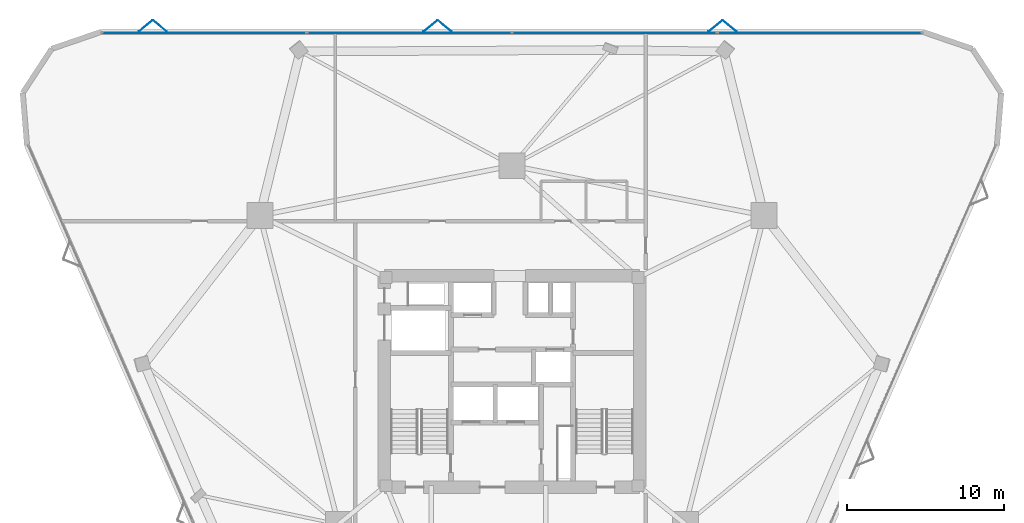
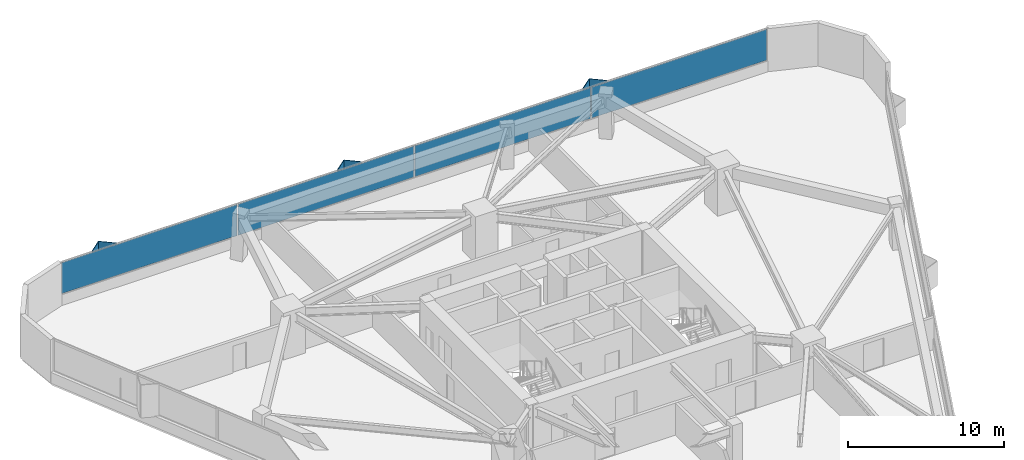
# One storey, part 13 of 17: 10 plates, 1 element without a shape of its own.
"""IFC4 building model written with IfcOpenShell, lengths in metres."""

from ifc_helpers import new_model, si_unit, direction, frame, origin, origin_2d, place, context, subcontext, project, spatial, rectangle, extrude, material, layer, layer_set, type_object, element, aggregate, save


model = new_model("IFC4")

# Units and contexts
model_context = context("Model", 3, precision=1e-05, world=origin(), true_north=direction((0.0, 1.0)))
body_context = subcontext(model_context, "Body", "Model", "MODEL_VIEW")
ifc_project = project(units=[si_unit("LENGTHUNIT", "METRE"), si_unit("AREAUNIT", "SQUARE_METRE"), si_unit("VOLUMEUNIT", "CUBIC_METRE"), si_unit("PLANEANGLEUNIT", "RADIAN"), si_unit("MASSUNIT", "GRAM", prefix="KILO")], contexts=[model_context])

# Site, building, storey
site_placement = place(None, origin())
site = spatial("IfcSite", under=ifc_project, at=site_placement, CompositionType="ELEMENT")
building_placement = place(site_placement, origin())
building = spatial("IfcBuilding", under=site, at=building_placement, Name="Talyreon Biosciences Tower", CompositionType="ELEMENT")
storey_placement = place(building_placement, frame((0.0, 0.0, 93.25)))
storey = spatial("IfcBuildingStorey", under=building, at=storey_placement, Name="L24", CompositionType="ELEMENT", Elevation=93.25)

# Curtain wall, plates
ifc_material_1 = material(Name="Thermally broken aluminium and low-E glazing", Category="aluminium")
ifc_layer_1 = layer(ifc_material_1, 0.18994140625)
ifc_layer_set_1 = layer_set([ifc_layer_1], Name="Thermally broken aluminium and low-E glazing")
curtain_wall_type = type_object("IfcCurtainWallType", Name="CurtainWall_Zone2Genomics", PredefinedType="NOTDEFINED", material=ifc_layer_set_1)
curtain_wall_placement = place(storey_placement, origin())
curtain_wall = element("IfcCurtainWall", 1, at=curtain_wall_placement, inside=storey, type_object=curtain_wall_type, Name="L24 Unitised Curtain Wall FCW-L24-04", PredefinedType="NOTDEFINED")
ifc_material_2 = material(Name="Triple-silver low-E insulated glazing", Category="glass")
ifc_layer_2 = layer(ifc_material_2, 0.031982421875)
ifc_layer_set_2 = layer_set([ifc_layer_2], Name="Triple-silver low-E insulated glazing")
plate_type_1 = type_object("IfcPlateType", Name="CWGlazingPanel_32", PredefinedType="CURTAIN_PANEL", material=ifc_layer_set_2)
plate_1_placement = place(storey_placement, frame((46.351806640625, 90.2734375, 0.875), z_axis=(0.0, 0.0, 1.0), x_axis=(1.0, 0.0, 0.0)))
plate_1 = element("IfcPlate", 2, at=plate_1_placement, type_object=plate_type_1, Name="CW3 panel 1.1", PredefinedType="CURTAIN_PANEL", context=body_context, shape_type="SweptSolid", body=[
    extrude(rectangle(XDim=13.01220703125, YDim=0.031982421875, at=origin_2d()), origin(), (0.0, 0.0, 1.0), 2.43505859375),
])
plate_2_placement = place(storey_placement, frame((59.445068359375, 90.2734375, 0.875), z_axis=(0.0, 0.0, 1.0), x_axis=(1.0, 0.0, 0.0)))
plate_2 = element("IfcPlate", 3, at=plate_2_placement, type_object=plate_type_1, Name="CW3 panel 2.1", PredefinedType="CURTAIN_PANEL", context=body_context, shape_type="SweptSolid", body=[
    extrude(rectangle(XDim=13.044677734375, YDim=0.031982421875, at=origin_2d()), origin(), (0.0, 0.0, 1.0), 2.43505859375),
])
plate_3_placement = place(storey_placement, frame((72.554931640625, 90.2734375, 0.875), z_axis=(0.0, 0.0, 1.0), x_axis=(1.0, 0.0, 0.0)))
plate_3 = element("IfcPlate", 4, at=plate_3_placement, type_object=plate_type_1, Name="CW3 panel 3.1", PredefinedType="CURTAIN_PANEL", context=body_context, shape_type="SweptSolid", body=[
    extrude(rectangle(XDim=13.044677734375, YDim=0.031982421875, at=origin_2d()), origin(), (0.0, 0.0, 1.0), 2.43505859375),
])
plate_4_placement = place(storey_placement, frame((85.648193359375, 90.2734375, 0.875), z_axis=(0.0, 0.0, 1.0), x_axis=(1.0, 0.0, 0.0)))
plate_4 = element("IfcPlate", 5, at=plate_4_placement, type_object=plate_type_1, Name="CW3 panel 4.1", PredefinedType="CURTAIN_PANEL", context=body_context, shape_type="SweptSolid", body=[
    extrude(rectangle(XDim=13.01220703125, YDim=0.031982421875, at=origin_2d()), origin(), (0.0, 0.0, 1.0), 2.43505859375),
])
aggregate(curtain_wall, [plate_1, plate_2, plate_3, plate_4])

# Plates
ifc_material_3 = material(Name="Ivory GFRC sunshade panel", Category="concrete")
ifc_layer_3 = layer(ifc_material_3, 0.044921875)
ifc_layer_set_3 = layer_set([ifc_layer_3], Name="Ivory GFRC sunshade panel")
plate_type_2 = type_object("IfcPlateType", Name="FoldedVSunshade_NorthFace_SUNSHADE", PredefinedType="USERDEFINED", material=ifc_layer_set_3)
for number, where, z_axis, x_axis, name in (
    (6, (42.6005859375, 90.71337890625, 0.7900390625), (0.0, 0.0, 1.0), (0.771624583388, 0.636078220278, 0.0), "L24 Folded V-Sunshade Panel 04.01L"),
    (7, (43.500732421875, 90.71337890625, 0.7900390625), (0.0, 0.0, 1.0), (0.771624583388, -0.636078220278, 0.0), "L24 Folded V-Sunshade Panel 04.01R"),
    (8, (60.80078125, 90.71337890625, 0.7900390625), (0.0, 0.0, 1.0), (0.771624583388, 0.636078220278, 0.0), "L24 Folded V-Sunshade Panel 04.02L"),
    (9, (61.70068359375, 90.71337890625, 0.7900390625), (0.0, 0.0, 1.0), (0.771624583388, -0.636078220278, 0.0), "L24 Folded V-Sunshade Panel 04.02R"),
    (10, (79.000732421875, 90.71337890625, 0.7900390625), (0.0, 0.0, 1.0), (0.771624583388, 0.636078220278, 0.0), "L24 Folded V-Sunshade Panel 04.03L"),
    (11, (79.900634765625, 90.71337890625, 0.7900390625), (0.0, 0.0, 1.0), (0.771624583388, -0.636078220278, 0.0), "L24 Folded V-Sunshade Panel 04.03R"),
):
    element("IfcPlate", number, at=place(storey_placement, frame(where, z_axis=z_axis, x_axis=x_axis)), inside=storey, type_object=plate_type_2, Name=name, ObjectType="SUNSHADE", PredefinedType="USERDEFINED", context=body_context, shape_type="SweptSolid", body=[
        extrude(rectangle(XDim=1.14990234375, YDim=0.044921875, at=origin_2d()), origin(), (0.0, 0.0, 1.0), 2.5849609375),
    ])

save(model, "model.ifc")
